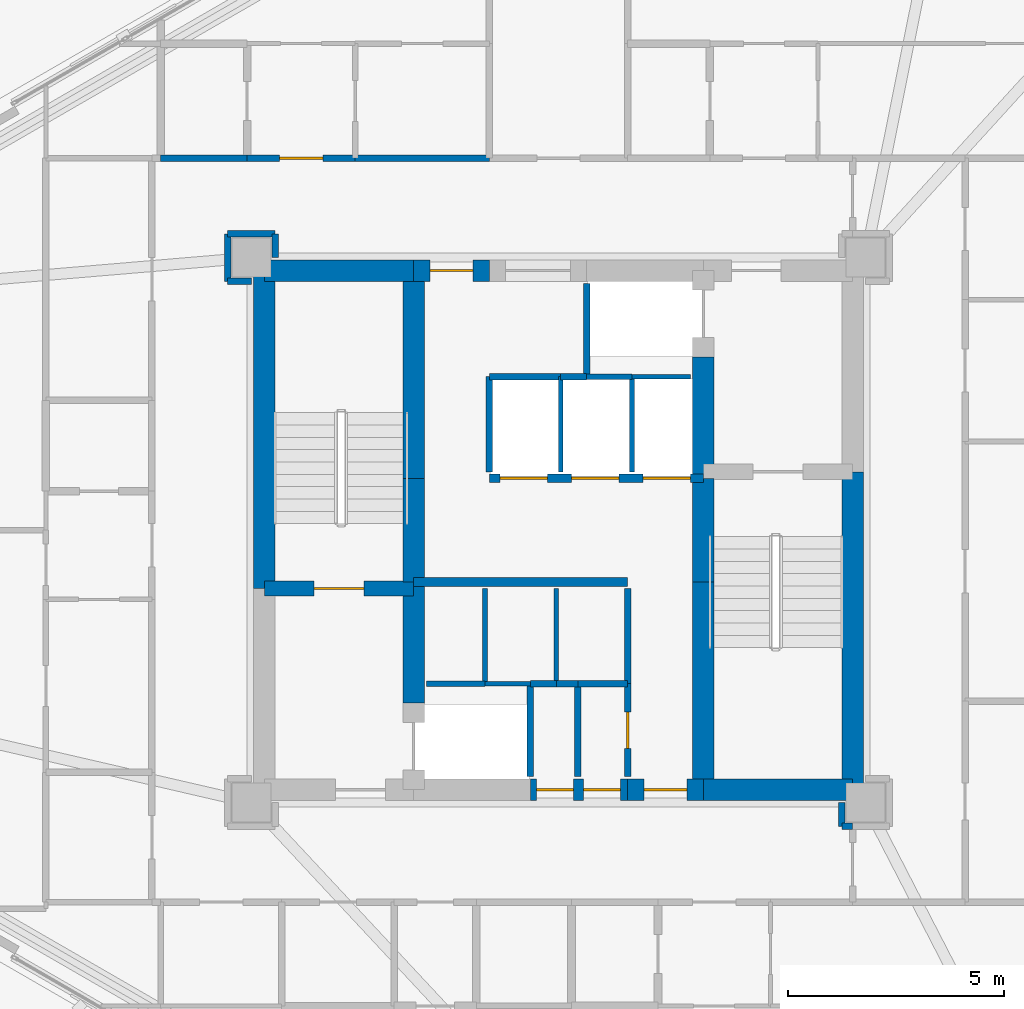
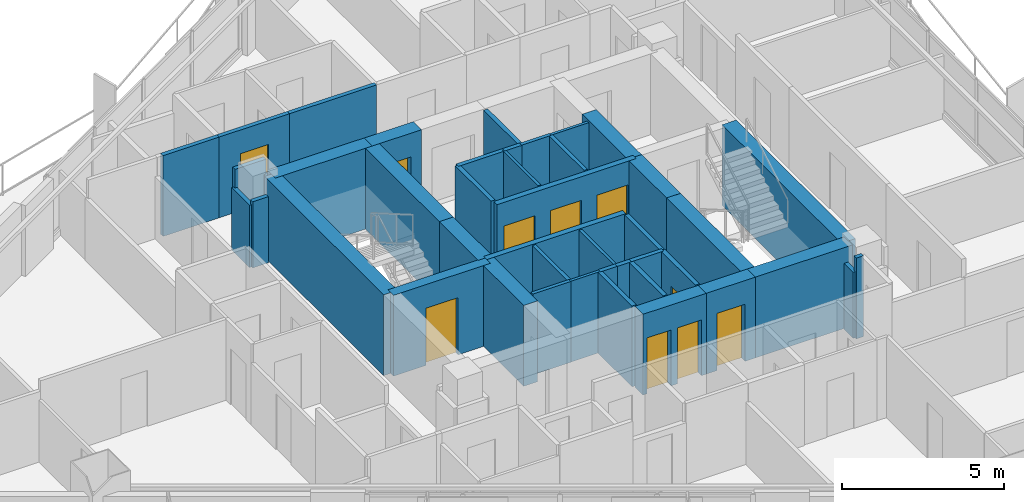
# One storey, part 14 of 19: 44 walls, 10 doors, 10 openings.
"""IFC4 building model written with IfcOpenShell, lengths in metres."""

from ifc_helpers import new_model, si_unit, direction, frame, frame_2d, origin, place, context, subcontext, project, spatial, rectangle, extrude, material, layer, layer_set, type_object, element, fill, save


model = new_model("IFC4")

# Units and contexts
model_context = context("Model", 3, precision=1e-05, world=origin(), true_north=direction((0.0, 1.0)))
body_context = subcontext(model_context, "Body", "Model", "MODEL_VIEW")
ifc_project = project(units=[si_unit("LENGTHUNIT", "METRE"), si_unit("AREAUNIT", "SQUARE_METRE"), si_unit("VOLUMEUNIT", "CUBIC_METRE"), si_unit("PLANEANGLEUNIT", "RADIAN"), si_unit("MASSUNIT", "GRAM", prefix="KILO")], contexts=[model_context])

# Site, building, storey
site_placement = place(None, origin())
site = spatial("IfcSite", under=ifc_project, at=site_placement, CompositionType="ELEMENT")
building_placement = place(site_placement, origin())
building = spatial("IfcBuilding", under=site, at=building_placement, Name="Mersakhor Tower and Convention Hall", CompositionType="ELEMENT")
storey_placement = place(building_placement, frame((0.0, 0.0, 42.300048828125)))
storey = spatial("IfcBuildingStorey", under=building, at=storey_placement, Name="L11", CompositionType="ELEMENT", Elevation=42.300048828125)

# Walls
ifc_material_1 = material(Name="Lightweight gypsum partition", Category="other")
ifc_layer_1 = layer(ifc_material_1, 0.10009765625)
ifc_layer_set_1 = layer_set([ifc_layer_1], Name="Lightweight gypsum partition")
wall_type_1 = type_object("IfcWallType", Name="WL-PRT-100", PredefinedType="PARTITIONING", material=ifc_layer_set_1)
wall_1_placement = place(storey_placement, frame((27.300048828125, 23.199951171875, 0.0), z_axis=(0.0, 0.0, 1.0), x_axis=(1.0, 0.0, 0.0)))
element("IfcWall", 1, at=wall_1_placement, inside=storey, type_object=wall_type_1, Name="L11 Interior Partition Wall P-002", PredefinedType="PARTITIONING", context=body_context, shape_type="SweptSolid", body=[
    extrude(rectangle(XDim=1.050048828125, YDim=0.10009765625, at=frame_2d((0.52490234375, 0.0))), origin(), (0.0, 0.0, 1.0), 3.0400390625),
])
wall_2_placement = place(storey_placement, frame((32.050048828125, 30.300048828125, 0.0), z_axis=(0.0, 0.0, 1.0), x_axis=(-1.0, 0.0, 0.0)))
element("IfcWall", 2, at=wall_2_placement, inside=storey, type_object=wall_type_1, Name="L11 Interior Partition Wall P-004", PredefinedType="PARTITIONING", context=body_context, shape_type="SweptSolid", body=[
    extrude(rectangle(XDim=1.35009765625, YDim=0.10009765625, at=frame_2d((0.675048828125, 0.0))), origin(), (0.0, 0.0, 1.0), 3.0400390625),
])
for number, where, z_axis, x_axis, name in (
    (3, (28.949951171875, 25.39990234375, 0.0), (0.0, 0.0, 1.0), (0.0, -1.0, 0.0), "L11 Interior Partition Wall P-008"),
    (4, (29.050048828125, 30.300048828125, 0.0), (0.0, 0.0, 1.0), (0.0, -1.0, 0.0), "L11 Interior Partition Wall P-014"),
):
    element("IfcWall", number, at=place(storey_placement, frame(where, z_axis=z_axis, x_axis=x_axis)), inside=storey, type_object=wall_type_1, Name=name, PredefinedType="PARTITIONING", context=body_context, shape_type="SweptSolid", body=[
        extrude(rectangle(XDim=2.199951171875, YDim=0.10009765625, at=frame_2d((1.10009765625, 0.0))), origin(), (0.0, 0.0, 1.0), 3.0400390625),
    ])
ifc_material_2 = material(Name="Gypsum board acoustic partition", Category="other")
ifc_layer_2 = layer(ifc_material_2, 0.125)
ifc_layer_set_2 = layer_set([ifc_layer_2], Name="Gypsum board acoustic partition")
wall_type_2 = type_object("IfcWallType", Name="WL-PRT-125", PredefinedType="PARTITIONING", material=ifc_layer_set_2)
wall_3_placement = place(storey_placement, frame((25.949951171875, 23.199951171875, 0.0), z_axis=(0.0, 0.0, 1.0), x_axis=(1.0, 0.0, 0.0)))
element("IfcWall", 5, at=wall_3_placement, inside=storey, type_object=wall_type_2, Name="L11 Interior Partition Wall P-001", PredefinedType="PARTITIONING", context=body_context, shape_type="SweptSolid", body=[
    extrude(rectangle(XDim=1.35009765625, YDim=0.125, at=frame_2d((0.675048828125, 0.0))), origin(), (0.0, 0.0, 1.0), 3.0400390625),
])
wall_4_placement = place(storey_placement, frame((30.699951171875, 30.300048828125, 0.0), z_axis=(0.0, 0.0, 1.0), x_axis=(-1.0, 0.0, 0.0)))
element("IfcWall", 6, at=wall_4_placement, inside=storey, type_object=wall_type_2, Name="L11 Interior Partition Wall P-005", PredefinedType="PARTITIONING", context=body_context, shape_type="SweptSolid", body=[
    extrude(rectangle(XDim=1.050048828125, YDim=0.125, at=frame_2d((0.52490234375, 0.0))), origin(), (0.0, 0.0, 1.0), 3.0400390625),
])
for number, where, z_axis, x_axis, name in (
    (7, (27.300048828125, 25.39990234375, 0.0), (0.0, 0.0, 1.0), (0.0, -1.0, 0.0), "L11 Interior Partition Wall P-007"),
    (8, (30.699951171875, 30.300048828125, 0.0), (0.0, 0.0, 1.0), (0.0, -1.0, 0.0), "L11 Interior Partition Wall P-017"),
):
    element("IfcWall", number, at=place(storey_placement, frame(where, z_axis=z_axis, x_axis=x_axis)), inside=storey, type_object=wall_type_2, Name=name, PredefinedType="PARTITIONING", context=body_context, shape_type="SweptSolid", body=[
        extrude(rectangle(XDim=2.199951171875, YDim=0.125, at=frame_2d((1.10009765625, 0.0))), origin(), (0.0, 0.0, 1.0), 3.0400390625),
    ])
ifc_material_3 = material(Name="Fire-rated gypsum board stud partition", Category="other")
ifc_layer_3 = layer(ifc_material_3, 0.14990234375)
ifc_layer_set_3 = layer_set([ifc_layer_3], Name="Fire-rated gypsum board stud partition")
wall_type_3 = type_object("IfcWallType", Name="WL-PRT-150", PredefinedType="PARTITIONING", material=ifc_layer_set_3)
for number, where, z_axis, x_axis, name in (
    (9, (28.35009765625, 23.199951171875, 0.0), (0.0, 0.0, 1.0), (0.0, -1.0, 0.0), "L11 Interior Partition Wall P-003"),
    (10, (29.64990234375, 30.300048828125, 0.0), (0.0, 0.0, 1.0), (0.0, 1.0, 0.0), "L11 Interior Partition Wall P-006"),
):
    element("IfcWall", number, at=place(storey_placement, frame(where, z_axis=z_axis, x_axis=x_axis)), inside=storey, type_object=wall_type_3, Name=name, PredefinedType="PARTITIONING", context=body_context, shape_type="SweptSolid", body=[
        extrude(rectangle(XDim=2.14990234375, YDim=0.14990234375, at=frame_2d((1.074951171875, 0.0))), origin(), (0.0, 0.0, 1.0), 3.0400390625),
    ])
wall_5_placement = place(storey_placement, frame((28.949951171875, 23.199951171875, 0.0), z_axis=(0.0, 0.0, 1.0), x_axis=(-1.0, 0.0, 0.0)))
element("IfcWall", 11, at=wall_5_placement, inside=storey, type_object=wall_type_3, Name="L11 Interior Partition Wall P-009", PredefinedType="PARTITIONING", context=body_context, shape_type="SweptSolid", body=[
    extrude(rectangle(XDim=0.599853515625, YDim=0.14990234375, at=frame_2d((0.2998046875, 0.0))), origin(), (0.0, 0.0, 1.0), 3.0400390625),
])
wall_6_placement = place(storey_placement, frame((30.60009765625, 25.39990234375, 0.0), z_axis=(0.0, 0.0, 1.0), x_axis=(0.0, -1.0, 0.0)))
element("IfcWall", 12, at=wall_6_placement, inside=storey, type_object=wall_type_3, Name="L11 Interior Partition Wall P-010", PredefinedType="PARTITIONING", context=body_context, shape_type="SweptSolid", body=[
    extrude(rectangle(XDim=2.199951171875, YDim=0.14990234375, at=frame_2d((1.10009765625, 0.0))), origin(), (0.0, 0.0, 1.0), 3.0400390625),
])
wall_7_placement = place(storey_placement, frame((30.60009765625, 23.199951171875, 0.0), z_axis=(0.0, 0.0, 1.0), x_axis=(-1.0, 0.0, 0.0)))
element("IfcWall", 13, at=wall_7_placement, inside=storey, type_object=wall_type_3, Name="L11 Interior Partition Wall P-011", PredefinedType="PARTITIONING", context=body_context, shape_type="SweptSolid", body=[
    extrude(rectangle(XDim=1.150146484375, YDim=0.14990234375, at=frame_2d((0.5751953125, 0.0))), origin(), (0.0, 0.0, 1.0), 3.0400390625),
])
wall_8_placement = place(storey_placement, frame((29.449951171875, 23.199951171875, 0.0), z_axis=(0.0, 0.0, 1.0), x_axis=(-1.0, 0.0, 0.0)))
element("IfcWall", 14, at=wall_8_placement, inside=storey, type_object=wall_type_3, Name="L11 Interior Partition Wall P-012", PredefinedType="PARTITIONING", context=body_context, shape_type="SweptSolid", body=[
    extrude(rectangle(XDim=0.5, YDim=0.14990234375, at=frame_2d((0.25, 0.0))), origin(), (0.0, 0.0, 1.0), 3.0400390625),
])
wall_9_placement = place(storey_placement, frame((27.39990234375, 30.300048828125, 0.0), z_axis=(0.0, 0.0, 1.0), x_axis=(1.0, 0.0, 0.0)))
element("IfcWall", 15, at=wall_9_placement, inside=storey, type_object=wall_type_3, Name="L11 Interior Partition Wall P-013", PredefinedType="PARTITIONING", context=body_context, shape_type="SweptSolid", body=[
    extrude(rectangle(XDim=1.650146484375, YDim=0.14990234375, at=frame_2d((0.8251953125, 0.0))), origin(), (0.0, 0.0, 1.0), 3.0400390625),
])
wall_10_placement = place(storey_placement, frame((27.39990234375, 28.10009765625, 0.0), z_axis=(0.0, 0.0, 1.0), x_axis=(0.0, 1.0, 0.0)))
element("IfcWall", 16, at=wall_10_placement, inside=storey, type_object=wall_type_3, Name="L11 Interior Partition Wall P-015", PredefinedType="PARTITIONING", context=body_context, shape_type="SweptSolid", body=[
    extrude(rectangle(XDim=2.199951171875, YDim=0.14990234375, at=frame_2d((1.10009765625, 0.0))), origin(), (0.0, 0.0, 1.0), 3.0400390625),
])
wall_11_placement = place(storey_placement, frame((29.050048828125, 30.300048828125, 0.0), z_axis=(0.0, 0.0, 1.0), x_axis=(1.0, 0.0, 0.0)))
element("IfcWall", 17, at=wall_11_placement, inside=storey, type_object=wall_type_3, Name="L11 Interior Partition Wall P-016", PredefinedType="PARTITIONING", context=body_context, shape_type="SweptSolid", body=[
    extrude(rectangle(XDim=0.599853515625, YDim=0.14990234375, at=frame_2d((0.2998046875, 0.0))), origin(), (0.0, 0.0, 1.0), 3.0400390625),
])

# Wall, opening, door
wall_12_placement = place(storey_placement, frame((30.60009765625, 21.050048828125, 0.0), z_axis=(0.0, 0.0, 1.0), x_axis=(0.0, 1.0, 0.0)))
wall_12 = element("IfcWall", 18, at=wall_12_placement, inside=storey, type_object=wall_type_3, Name="L11 Interior Partition Wall P-018", PredefinedType="PARTITIONING", context=body_context, shape_type="SweptSolid", body=[
    extrude(rectangle(XDim=2.14990234375, YDim=0.14990234375, at=frame_2d((1.074951171875, 0.0))), origin(), (0.0, 0.0, 1.0), 3.0400390625),
])
opening_1_placement = place(wall_12_placement, frame((0.64990234375, 0.0, 0.0)))
opening_1 = element("IfcOpeningElement", 19, at=opening_1_placement, cuts=wall_12, Name="Opening SVD-01", PredefinedType="OPENING", context=body_context, shape_type="SweptSolid", body=[
    extrude(rectangle(XDim=0.85009765625, YDim=2.10009765625, at=frame_2d((0.425048828125, 1.050048828125))), frame((0.0, 0.0849609375, 0.0), z_axis=(0.0, -1.0, 0.0), x_axis=(1.0, 0.0, 0.0)), (0.0, 0.0, 1.0), 0.169921875),
])
ifc_material_4 = material(Name="Fire-rated hardwood leaf and painted steel frame", Category="steel")
door_type_1 = type_object("IfcDoorType", Name="DR-INT-SVC-085x210", OperationType="NOTDEFINED", PredefinedType="DOOR", material=ifc_material_4)
door_1_placement = place(opening_1_placement, origin())
door_1 = element("IfcDoor", 20, at=door_1_placement, inside=storey, type_object=door_type_1, Name="L11 Central Passenger Lift Lobby to Core Maintenance Store Room Door", OperationType="SINGLE_SWING_LEFT", OverallHeight=2.10009765625, OverallWidth=0.85009765625, PredefinedType="DOOR", context=body_context, shape_type="SweptSolid", body=[
    extrude(rectangle(XDim=0.85009765625, YDim=2.10009765625, at=frame_2d((0.425048828125, 1.050048828125))), frame((0.0, 0.02490234375, 0.0), z_axis=(0.0, -1.0, 0.0), x_axis=(1.0, 0.0, 0.0)), (0.0, 0.0, 1.0), 0.050048828125),
])
fill(opening_1, door_1)

# Walls
wall_13_placement = place(storey_placement, frame((35.550048828125, 20.449951171875, 0.0), z_axis=(0.0, 0.0, 1.0), x_axis=(0.0, -1.0, 0.0)))
element("IfcWall", 21, at=wall_13_placement, inside=storey, type_object=wall_type_3, Name="L11 Interior Partition Wall P-021", PredefinedType="PARTITIONING", context=body_context, shape_type="SweptSolid", body=[
    extrude(rectangle(XDim=0.550048828125, YDim=0.14990234375, at=frame_2d((0.27490234375, 0.0))), origin(), (0.0, 0.0, 1.0), 2.48828125),
])
wall_14_placement = place(storey_placement, frame((35.550048828125, 19.89990234375, 0.0), z_axis=(0.0, 0.0, 1.0), x_axis=(1.0, 0.0, 0.0)))
element("IfcWall", 22, at=wall_14_placement, inside=storey, type_object=wall_type_3, Name="L11 Interior Partition Wall P-022", PredefinedType="PARTITIONING", context=body_context, shape_type="SweptSolid", body=[
    extrude(rectangle(XDim=0.25, YDim=0.14990234375, at=frame_2d((0.125, 0.0))), origin(), (0.0, 0.0, 1.0), 3.0400390625),
])
wall_15_placement = place(storey_placement, frame((19.800048828125, 35.35009765625, 0.0), z_axis=(0.0, 0.0, 1.0), x_axis=(1.0, 0.0, 0.0)))
element("IfcWall", 23, at=wall_15_placement, inside=storey, type_object=wall_type_3, Name="L11 Interior Partition Wall P-038", PredefinedType="PARTITIONING", context=body_context, shape_type="SweptSolid", body=[
    extrude(rectangle(XDim=2.0, YDim=0.14990234375, at=frame_2d((1.0, 0.0))), origin(), (0.0, 0.0, 1.0), 3.0400390625),
])

# Wall, opening, door
wall_16_placement = place(storey_placement, frame((21.800048828125, 35.35009765625, 0.0), z_axis=(0.0, 0.0, 1.0), x_axis=(1.0, 0.0, 0.0)))
wall_16 = element("IfcWall", 24, at=wall_16_placement, inside=storey, type_object=wall_type_3, Name="L11 Interior Partition Wall P-039", PredefinedType="PARTITIONING", context=body_context, shape_type="SweptSolid", body=[
    extrude(rectangle(XDim=2.5, YDim=0.14990234375, at=frame_2d((1.25, 0.0))), origin(), (0.0, 0.0, 1.0), 3.0400390625),
])
opening_2_placement = place(wall_16_placement, frame((0.75, 0.0, 0.0)))
opening_2 = element("IfcOpeningElement", 25, at=opening_2_placement, cuts=wall_16, Name="Opening FD-01", PredefinedType="OPENING", context=body_context, shape_type="SweptSolid", body=[
    extrude(rectangle(XDim=1.0, YDim=2.14990234375, at=frame_2d((0.5, 1.074951171875))), frame((0.0, 0.0849609375, 0.0), z_axis=(0.0, -1.0, 0.0), x_axis=(1.0, 0.0, 0.0)), (0.0, 0.0, 1.0), 0.169921875),
])
ifc_material_5 = material(Name="Fire-rated hardwood leaf and painted steel frame", Category="steel")
door_type_2 = type_object("IfcDoorType", Name="DR-INT-FLT-100x215", OperationType="NOTDEFINED", PredefinedType="DOOR", material=ifc_material_5)
door_2_placement = place(opening_2_placement, origin())
door_2 = element("IfcDoor", 26, at=door_2_placement, inside=storey, type_object=door_type_2, Name="L11 Apartment Entrance Door (Residential Ring Corridor to L11 Flat N1 Apartment Hall)", OperationType="SINGLE_SWING_RIGHT", OverallHeight=2.14990234375, OverallWidth=1.0, PredefinedType="DOOR", context=body_context, shape_type="SweptSolid", body=[
    extrude(rectangle(XDim=1.0, YDim=2.14990234375, at=frame_2d((0.5, 1.074951171875))), frame((0.0, 0.02490234375, 0.0), z_axis=(0.0, -1.0, 0.0), x_axis=(1.0, 0.0, 0.0)), (0.0, 0.0, 1.0), 0.050048828125),
])
fill(opening_2, door_2)

# Walls
wall_17_placement = place(storey_placement, frame((24.300048828125, 35.35009765625, 0.0), z_axis=(0.0, 0.0, 1.0), x_axis=(1.0, 0.0, 0.0)))
element("IfcWall", 27, at=wall_17_placement, inside=storey, type_object=wall_type_3, Name="L11 Interior Partition Wall P-040", PredefinedType="PARTITIONING", context=body_context, shape_type="SweptSolid", body=[
    extrude(rectangle(XDim=3.099853515625, YDim=0.14990234375, at=frame_2d((1.5498046875, 0.0))), origin(), (0.0, 0.0, 1.0), 3.0400390625),
])
wall_18_placement = place(storey_placement, frame((22.449951171875, 33.050048828125, 0.0), z_axis=(0.0, 0.0, 1.0), x_axis=(0.0, 1.0, 0.0)))
element("IfcWall", 28, at=wall_18_placement, inside=storey, type_object=wall_type_3, Name="L11 Interior Partition Wall P-048", PredefinedType="PARTITIONING", context=body_context, shape_type="SweptSolid", body=[
    extrude(rectangle(XDim=0.550048828125, YDim=0.14990234375, at=frame_2d((0.27490234375, 0.0))), origin(), (0.0, 0.0, 1.0), 2.48828125),
])
wall_19_placement = place(storey_placement, frame((22.449951171875, 33.60009765625, 0.0), z_axis=(0.0, 0.0, 1.0), x_axis=(-1.0, 0.0, 0.0)))
element("IfcWall", 29, at=wall_19_placement, inside=storey, type_object=wall_type_3, Name="L11 Interior Partition Wall P-049", PredefinedType="PARTITIONING", context=body_context, shape_type="SweptSolid", body=[
    extrude(rectangle(XDim=1.099853515625, YDim=0.14990234375, at=frame_2d((0.5498046875, 0.0))), origin(), (0.0, 0.0, 1.0), 3.0400390625),
])
wall_20_placement = place(storey_placement, frame((21.35009765625, 33.60009765625, 0.0), z_axis=(0.0, 0.0, 1.0), x_axis=(0.0, -1.0, 0.0)))
element("IfcWall", 30, at=wall_20_placement, inside=storey, type_object=wall_type_3, Name="L11 Interior Partition Wall P-050", PredefinedType="PARTITIONING", context=body_context, shape_type="SweptSolid", body=[
    extrude(rectangle(XDim=1.10009765625, YDim=0.14990234375, at=frame_2d((0.550048828125, 0.0))), origin(), (0.0, 0.0, 1.0), 2.33740234375),
])
wall_21_placement = place(storey_placement, frame((21.35009765625, 32.5, 0.0), z_axis=(0.0, 0.0, 1.0), x_axis=(1.0, 0.0, 0.0)))
element("IfcWall", 31, at=wall_21_placement, inside=storey, type_object=wall_type_3, Name="L11 Interior Partition Wall P-051", PredefinedType="PARTITIONING", context=body_context, shape_type="SweptSolid", body=[
    extrude(rectangle(XDim=0.5498046875, YDim=0.14990234375, at=frame_2d((0.27490234375, 0.0))), origin(), (0.0, 0.0, 1.0), 2.48828125),
])
wall_22_placement = place(storey_placement, frame((29.449951171875, 23.199951171875, 0.0), z_axis=(0.0, 0.0, 1.0), x_axis=(0.0, -1.0, 0.0)))
element("IfcWall", 32, at=wall_22_placement, inside=storey, type_object=wall_type_3, Name="L11 Interior Partition Wall P-099", PredefinedType="PARTITIONING", context=body_context, shape_type="SweptSolid", body=[
    extrude(rectangle(XDim=2.14990234375, YDim=0.14990234375, at=frame_2d((1.074951171875, 0.0))), origin(), (0.0, 0.0, 1.0), 3.0400390625),
])
ifc_material_6 = material(Name="Acoustic concrete blockwork and gypsum board", Category="masonry")
ifc_layer_4 = layer(ifc_material_6, 0.199951171875)
ifc_layer_set_4 = layer_set([ifc_layer_4], Name="Acoustic concrete blockwork and gypsum board")
wall_type_4 = type_object("IfcWallType", Name="WL-PRT-200", PredefinedType="PARTITIONING", material=ifc_layer_set_4)
wall_23_placement = place(storey_placement, frame((25.64990234375, 25.550048828125, 0.0), z_axis=(0.0, 0.0, 1.0), x_axis=(1.0, 0.0, 0.0)))
element("IfcWall", 33, at=wall_23_placement, inside=storey, type_object=wall_type_4, Name="L11 High-Rise Lift Bank Front Wall", PredefinedType="PARTITIONING", context=body_context, shape_type="SweptSolid", body=[
    extrude(rectangle(XDim=4.9501953125, YDim=0.199951171875, at=frame_2d((2.47509765625, 0.0))), origin(), (0.0, 0.0, 1.0), 3.0400390625),
])

# Wall, openings, doors
wall_24_placement = place(storey_placement, frame((27.39990234375, 27.949951171875, 0.0), z_axis=(0.0, 0.0, 1.0), x_axis=(1.0, 0.0, 0.0)))
wall_24 = element("IfcWall", 34, at=wall_24_placement, inside=storey, type_object=wall_type_4, Name="L11 Low-Rise Lift Bank Front Wall", PredefinedType="PARTITIONING", context=body_context, shape_type="SweptSolid", body=[
    extrude(rectangle(XDim=4.9501953125, YDim=0.199951171875, at=frame_2d((2.47509765625, 0.0))), origin(), (0.0, 0.0, 1.0), 3.0400390625),
])
opening_3_placement = place(wall_24_placement, frame((0.25, 0.0, 0.0)))
opening_3 = element("IfcOpeningElement", 35, at=opening_3_placement, cuts=wall_24, Name="Opening LD-P1", PredefinedType="OPENING", context=body_context, shape_type="SweptSolid", body=[
    extrude(rectangle(XDim=1.10009765625, YDim=2.14990234375, at=frame_2d((0.550048828125, 1.074951171875))), frame((0.0, 0.10986328125, 0.0), z_axis=(0.0, -1.0, 0.0), x_axis=(1.0, 0.0, 0.0)), (0.0, 0.0, 1.0), 0.219970703125),
])
opening_4_placement = place(wall_24_placement, frame((1.89990234375, 0.0, 0.0)))
opening_4 = element("IfcOpeningElement", 36, at=opening_4_placement, cuts=wall_24, Name="Opening LD-P2", PredefinedType="OPENING", context=body_context, shape_type="SweptSolid", body=[
    extrude(rectangle(XDim=1.10009765625, YDim=2.14990234375, at=frame_2d((0.550048828125, 1.074951171875))), frame((0.0, 0.10986328125, 0.0), z_axis=(0.0, -1.0, 0.0), x_axis=(1.0, 0.0, 0.0)), (0.0, 0.0, 1.0), 0.219970703125),
])
opening_5_placement = place(wall_24_placement, frame((3.550048828125, 0.0, 0.0)))
opening_5 = element("IfcOpeningElement", 37, at=opening_5_placement, cuts=wall_24, Name="Opening LD-P3", PredefinedType="OPENING", context=body_context, shape_type="SweptSolid", body=[
    extrude(rectangle(XDim=1.10009765625, YDim=2.14990234375, at=frame_2d((0.550048828125, 1.074951171875))), frame((0.0, 0.10986328125, 0.0), z_axis=(0.0, -1.0, 0.0), x_axis=(1.0, 0.0, 0.0)), (0.0, 0.0, 1.0), 0.219970703125),
])
ifc_material_7 = material(Name="Fire-rated brushed stainless steel sliding landing door", Category="steel")
door_type_3 = type_object("IfcDoorType", Name="DR-LIFT-SLD-110x215", OperationType="NOTDEFINED", PredefinedType="DOOR", material=ifc_material_7)
door_3_placement = place(opening_3_placement, origin())
door_3 = element("IfcDoor", 38, at=door_3_placement, inside=storey, type_object=door_type_3, Name="L11 Lift Landing Door LD-P1", OperationType="SLIDING_TO_LEFT", OverallHeight=2.14990234375, OverallWidth=1.10009765625, PredefinedType="DOOR", context=body_context, shape_type="SweptSolid", body=[
    extrude(rectangle(XDim=1.10009765625, YDim=2.14990234375, at=frame_2d((0.550048828125, 1.074951171875))), frame((0.0, 0.02490234375, 0.0), z_axis=(0.0, -1.0, 0.0), x_axis=(1.0, 0.0, 0.0)), (0.0, 0.0, 1.0), 0.050048828125),
])
fill(opening_3, door_3)
door_4_placement = place(opening_4_placement, origin())
door_4 = element("IfcDoor", 39, at=door_4_placement, inside=storey, type_object=door_type_3, Name="L11 Lift Landing Door LD-P2", OperationType="SLIDING_TO_LEFT", OverallHeight=2.14990234375, OverallWidth=1.10009765625, PredefinedType="DOOR", context=body_context, shape_type="SweptSolid", body=[
    extrude(rectangle(XDim=1.10009765625, YDim=2.14990234375, at=frame_2d((0.550048828125, 1.074951171875))), frame((0.0, 0.02490234375, 0.0), z_axis=(0.0, -1.0, 0.0), x_axis=(1.0, 0.0, 0.0)), (0.0, 0.0, 1.0), 0.050048828125),
])
fill(opening_4, door_4)
door_5_placement = place(opening_5_placement, origin())
door_5 = element("IfcDoor", 40, at=door_5_placement, inside=storey, type_object=door_type_3, Name="L11 Lift Landing Door LD-P3", OperationType="SLIDING_TO_LEFT", OverallHeight=2.14990234375, OverallWidth=1.10009765625, PredefinedType="DOOR", context=body_context, shape_type="SweptSolid", body=[
    extrude(rectangle(XDim=1.10009765625, YDim=2.14990234375, at=frame_2d((0.550048828125, 1.074951171875))), frame((0.0, 0.02490234375, 0.0), z_axis=(0.0, -1.0, 0.0), x_axis=(1.0, 0.0, 0.0)), (0.0, 0.0, 1.0), 0.050048828125),
])
fill(opening_5, door_5)

# Wall, opening, door
ifc_material_8 = material(Name="Concrete C50/60", Category="concrete")
ifc_layer_5 = layer(ifc_material_8, 0.35009765625)
ifc_layer_set_5 = layer_set([ifc_layer_5], Name="Concrete C50/60")
wall_type_5 = type_object("IfcWallType", Name="WL-SHR-350", PredefinedType="SHEAR", material=ifc_layer_set_5)
wall_25_placement = place(storey_placement, frame((22.199951171875, 25.39990234375, 0.0), z_axis=(0.0, 0.0, 1.0), x_axis=(1.0, 0.0, 0.0)))
wall_25 = element("IfcWall", 41, at=wall_25_placement, inside=storey, type_object=wall_type_5, Name="L11 Core Wall CS-ST1-S", PredefinedType="SHEAR", context=body_context, shape_type="SweptSolid", body=[
    extrude(rectangle(XDim=3.449951171875, YDim=0.35009765625, at=frame_2d((1.72509765625, 0.0))), origin(), (0.0, 0.0, 1.0), 3.0400390625),
])
opening_6_placement = place(wall_25_placement, frame((1.14990234375, 0.0, 0.0)))
opening_6 = element("IfcOpeningElement", 42, at=opening_6_placement, cuts=wall_25, Name="Opening SD-01", PredefinedType="OPENING", context=body_context, shape_type="SweptSolid", body=[
    extrude(rectangle(XDim=1.14990234375, YDim=2.14990234375, at=frame_2d((0.574951171875, 1.074951171875))), frame((0.0, 0.18505859375, 0.0), z_axis=(0.0, -1.0, 0.0), x_axis=(1.0, 0.0, 0.0)), (0.0, 0.0, 1.0), 0.3701171875),
])
ifc_material_9 = material(Name="Fire-rated hardwood leaf and painted steel frame", Category="steel")
door_type_4 = type_object("IfcDoorType", Name="DR-INT-STAIR-115x215", OperationType="NOTDEFINED", PredefinedType="DOOR", material=ifc_material_9)
door_6_placement = place(opening_6_placement, origin())
door_6 = element("IfcDoor", 43, at=door_6_placement, inside=storey, type_object=door_type_4, Name="L11 Exit Stair ST-1 Enclosure Door", OperationType="SINGLE_SWING_LEFT", OverallHeight=2.14990234375, OverallWidth=1.14990234375, PredefinedType="DOOR", context=body_context, shape_type="SweptSolid", body=[
    extrude(rectangle(XDim=1.14990234375, YDim=2.14990234375, at=frame_2d((0.574951171875, 1.074951171875))), frame((0.0, 0.02490234375, 0.0), z_axis=(0.0, -1.0, 0.0), x_axis=(1.0, 0.0, 0.0)), (0.0, 0.0, 1.0), 0.050048828125),
])
fill(opening_6, door_6)

# Walls
ifc_material_10 = material(Name="Concrete C70/85", Category="concrete")
ifc_layer_6 = layer(ifc_material_10, 0.5)
ifc_layer_set_6 = layer_set([ifc_layer_6], Name="Concrete C70/85")
wall_type_6 = type_object("IfcWallType", Name="WL-SHR-500", PredefinedType="SHEAR", material=ifc_layer_set_6)
wall_26_placement = place(storey_placement, frame((22.199951171875, 25.39990234375, 0.0), z_axis=(0.0, 0.0, 1.0), x_axis=(0.0, 1.0, 0.0)))
element("IfcWall", 44, at=wall_26_placement, inside=storey, type_object=wall_type_6, Name="L11 Core Wall CW-W2", PredefinedType="SHEAR", context=body_context, shape_type="SweptSolid", body=[
    extrude(rectangle(XDim=7.35009765625, YDim=0.5, at=frame_2d((3.675048828125, 0.0))), origin(), (0.0, 0.0, 1.0), 3.0400390625),
])
wall_27_placement = place(storey_placement, frame((22.199951171875, 32.75, 0.0), z_axis=(0.0, 0.0, 1.0), x_axis=(1.0, 0.0, 0.0)))
element("IfcWall", 45, at=wall_27_placement, inside=storey, type_object=wall_type_6, Name="L11 Core Wall CW-N1", PredefinedType="SHEAR", context=body_context, shape_type="SweptSolid", body=[
    extrude(rectangle(XDim=3.449951171875, YDim=0.5, at=frame_2d((1.72509765625, 0.0))), origin(), (0.0, 0.0, 1.0), 3.0400390625),
])

# Wall, opening, door
wall_28_placement = place(storey_placement, frame((25.64990234375, 32.75, 0.0), z_axis=(0.0, 0.0, 1.0), x_axis=(1.0, 0.0, 0.0)))
wall_28 = element("IfcWall", 46, at=wall_28_placement, inside=storey, type_object=wall_type_6, Name="L11 Core Wall CW-N2A", PredefinedType="SHEAR", context=body_context, shape_type="SweptSolid", body=[
    extrude(rectangle(XDim=1.75, YDim=0.5, at=frame_2d((0.875, 0.0))), origin(), (0.0, 0.0, 1.0), 3.0400390625),
])
opening_7_placement = place(wall_28_placement, frame((0.375, 0.0, 0.0)))
opening_7 = element("IfcOpeningElement", 47, at=opening_7_placement, cuts=wall_28, Name="Opening CFD-01", PredefinedType="OPENING", context=body_context, shape_type="SweptSolid", body=[
    extrude(rectangle(XDim=1.0, YDim=2.14990234375, at=frame_2d((0.5, 1.074951171875))), frame((0.0, 0.260009765625, 0.0), z_axis=(0.0, -1.0, 0.0), x_axis=(1.0, 0.0, 0.0)), (0.0, 0.0, 1.0), 0.52001953125),
])
ifc_material_11 = material(Name="Fire-rated hardwood leaf and painted steel frame", Category="steel")
door_type_5 = type_object("IfcDoorType", Name="DR-CORE-FD-100x215", OperationType="NOTDEFINED", PredefinedType="DOOR", material=ifc_material_11)
door_7_placement = place(opening_7_placement, origin())
door_7 = element("IfcDoor", 48, at=door_7_placement, inside=storey, type_object=door_type_5, Name="L11 Lift Lobby North Corridor Door", OperationType="SINGLE_SWING_LEFT", OverallHeight=2.14990234375, OverallWidth=1.0, PredefinedType="DOOR", context=body_context, shape_type="SweptSolid", body=[
    extrude(rectangle(XDim=1.0, YDim=2.14990234375, at=frame_2d((0.5, 1.074951171875))), frame((0.0, 0.02490234375, 0.0), z_axis=(0.0, -1.0, 0.0), x_axis=(1.0, 0.0, 0.0)), (0.0, 0.0, 1.0), 0.050048828125),
])
fill(opening_7, door_7)

# Walls
wall_29_placement = place(storey_placement, frame((35.800048828125, 28.10009765625, 0.0), z_axis=(0.0, 0.0, 1.0), x_axis=(0.0, -1.0, 0.0)))
element("IfcWall", 49, at=wall_29_placement, inside=storey, type_object=wall_type_6, Name="L11 Core Wall CW-E2", PredefinedType="SHEAR", context=body_context, shape_type="SweptSolid", body=[
    extrude(rectangle(XDim=7.35009765625, YDim=0.5, at=frame_2d((3.675048828125, 0.0))), origin(), (0.0, 0.0, 1.0), 3.0400390625),
])
wall_30_placement = place(storey_placement, frame((35.800048828125, 20.75, 0.0), z_axis=(0.0, 0.0, 1.0), x_axis=(-1.0, 0.0, 0.0)))
element("IfcWall", 50, at=wall_30_placement, inside=storey, type_object=wall_type_6, Name="L11 Core Wall CW-S1", PredefinedType="SHEAR", context=body_context, shape_type="SweptSolid", body=[
    extrude(rectangle(XDim=3.449951171875, YDim=0.5, at=frame_2d((1.72509765625, 0.0))), origin(), (0.0, 0.0, 1.0), 3.0400390625),
])

# Wall, opening, door
wall_31_placement = place(storey_placement, frame((32.35009765625, 20.75, 0.0), z_axis=(0.0, 0.0, 1.0), x_axis=(-1.0, 0.0, 0.0)))
wall_31 = element("IfcWall", 51, at=wall_31_placement, inside=storey, type_object=wall_type_6, Name="L11 Core Wall CW-S2A", PredefinedType="SHEAR", context=body_context, shape_type="SweptSolid", body=[
    extrude(rectangle(XDim=1.75, YDim=0.5, at=frame_2d((0.875, 0.0))), origin(), (0.0, 0.0, 1.0), 3.0400390625),
])
opening_8_placement = place(wall_31_placement, frame((0.375, 0.0, 0.0)))
opening_8 = element("IfcOpeningElement", 52, at=opening_8_placement, cuts=wall_31, Name="Opening CFD-01", PredefinedType="OPENING", context=body_context, shape_type="SweptSolid", body=[
    extrude(rectangle(XDim=1.0, YDim=2.14990234375, at=frame_2d((0.5, 1.074951171875))), frame((0.0, 0.260009765625, 0.0), z_axis=(0.0, -1.0, 0.0), x_axis=(1.0, 0.0, 0.0)), (0.0, 0.0, 1.0), 0.52001953125),
])
door_8_placement = place(opening_8_placement, origin())
door_8 = element("IfcDoor", 53, at=door_8_placement, inside=storey, type_object=door_type_5, Name="L11 Lift Lobby South Corridor Door", OperationType="SINGLE_SWING_RIGHT", OverallHeight=2.14990234375, OverallWidth=1.0, PredefinedType="DOOR", context=body_context, shape_type="SweptSolid", body=[
    extrude(rectangle(XDim=1.0, YDim=2.14990234375, at=frame_2d((0.5, 1.074951171875))), frame((0.0, 0.02490234375, 0.0), z_axis=(0.0, -1.0, 0.0), x_axis=(1.0, 0.0, 0.0)), (0.0, 0.0, 1.0), 0.050048828125),
])
fill(opening_8, door_8)

# Wall, openings, doors
wall_32_placement = place(storey_placement, frame((30.60009765625, 20.75, 0.0), z_axis=(0.0, 0.0, 1.0), x_axis=(-1.0, 0.0, 0.0)))
wall_32 = element("IfcWall", 54, at=wall_32_placement, inside=storey, type_object=wall_type_6, Name="L11 Core Wall CW-S2B", PredefinedType="SHEAR", context=body_context, shape_type="SweptSolid", body=[
    extrude(rectangle(XDim=2.25, YDim=0.5, at=frame_2d((1.125, 0.0))), origin(), (0.0, 0.0, 1.0), 3.0400390625),
])
opening_9_placement = place(wall_32_placement, frame((1.2548828125, 0.0, 0.0)))
opening_9 = element("IfcOpeningElement", 55, at=opening_9_placement, cuts=wall_32, Name="Opening SVD-01", PredefinedType="OPENING", context=body_context, shape_type="SweptSolid", body=[
    extrude(rectangle(XDim=0.85009765625, YDim=2.10009765625, at=frame_2d((0.425048828125, 1.050048828125))), frame((0.0, 0.260009765625, 0.0), z_axis=(0.0, -1.0, 0.0), x_axis=(1.0, 0.0, 0.0)), (0.0, 0.0, 1.0), 0.52001953125),
])
opening_10_placement = place(wall_32_placement, frame((0.169921875, 0.0, 0.0)))
opening_10 = element("IfcOpeningElement", 56, at=opening_10_placement, cuts=wall_32, Name="Opening SVD-01", PredefinedType="OPENING", context=body_context, shape_type="SweptSolid", body=[
    extrude(rectangle(XDim=0.85009765625, YDim=2.10009765625, at=frame_2d((0.425048828125, 1.050048828125))), frame((0.0, 0.260009765625, 0.0), z_axis=(0.0, -1.0, 0.0), x_axis=(1.0, 0.0, 0.0)), (0.0, 0.0, 1.0), 0.52001953125),
])
door_9_placement = place(opening_9_placement, origin())
door_9 = element("IfcDoor", 57, at=door_9_placement, inside=storey, type_object=door_type_1, Name="L11 Residential Ring Corridor to Sub-Metering Switch Room Door", OperationType="SINGLE_SWING_LEFT", OverallHeight=2.10009765625, OverallWidth=0.85009765625, PredefinedType="DOOR", context=body_context, shape_type="SweptSolid", body=[
    extrude(rectangle(XDim=0.85009765625, YDim=2.10009765625, at=frame_2d((0.425048828125, 1.050048828125))), frame((0.0, 0.02490234375, 0.0), z_axis=(0.0, -1.0, 0.0), x_axis=(1.0, 0.0, 0.0)), (0.0, 0.0, 1.0), 0.050048828125),
])
fill(opening_9, door_9)
door_10_placement = place(opening_10_placement, origin())
door_10 = element("IfcDoor", 58, at=door_10_placement, inside=storey, type_object=door_type_1, Name="L11 Residential Ring Corridor to Core Maintenance Store Room Door", OperationType="SINGLE_SWING_RIGHT", OverallHeight=2.10009765625, OverallWidth=0.85009765625, PredefinedType="DOOR", context=body_context, shape_type="SweptSolid", body=[
    extrude(rectangle(XDim=0.85009765625, YDim=2.10009765625, at=frame_2d((0.425048828125, 1.050048828125))), frame((0.0, 0.02490234375, 0.0), z_axis=(0.0, -1.0, 0.0), x_axis=(1.0, 0.0, 0.0)), (0.0, 0.0, 1.0), 0.050048828125),
])
fill(opening_10, door_10)

# Walls
wall_33_placement = place(storey_placement, frame((25.64990234375, 22.75, 0.0), z_axis=(0.0, 0.0, 1.0), x_axis=(0.0, 1.0, 0.0)))
element("IfcWall", 59, at=wall_33_placement, inside=storey, type_object=wall_type_6, Name="L11 Core Wall CS-W-MID", PredefinedType="SHEAR", context=body_context, shape_type="SweptSolid", body=[
    extrude(rectangle(XDim=2.800048828125, YDim=0.5, at=frame_2d((1.39990234375, 0.0))), origin(), (0.0, 0.0, 1.0), 3.0400390625),
])
wall_34_placement = place(storey_placement, frame((25.64990234375, 25.550048828125, 0.0), z_axis=(0.0, 0.0, 1.0), x_axis=(0.0, 1.0, 0.0)))
element("IfcWall", 60, at=wall_34_placement, inside=storey, type_object=wall_type_6, Name="L11 Core Wall CS-W-LOB", PredefinedType="SHEAR", context=body_context, shape_type="SweptSolid", body=[
    extrude(rectangle(XDim=2.39990234375, YDim=0.5, at=frame_2d((1.199951171875, 0.0))), origin(), (0.0, 0.0, 1.0), 3.0400390625),
])
for number, where, z_axis, x_axis, name in (
    (61, (25.64990234375, 27.949951171875, 0.0), (0.0, 0.0, 1.0), (0.0, 1.0, 0.0), "L11 Core Wall CS-W-ST1"),
    (62, (32.35009765625, 20.75, 0.0), (0.0, 0.0, 1.0), (0.0, 1.0, 0.0), "L11 Core Wall CS-E-ST2"),
):
    element("IfcWall", number, at=place(storey_placement, frame(where, z_axis=z_axis, x_axis=x_axis)), inside=storey, type_object=wall_type_6, Name=name, PredefinedType="SHEAR", context=body_context, shape_type="SweptSolid", body=[
        extrude(rectangle(XDim=4.800048828125, YDim=0.5, at=frame_2d((2.39990234375, 0.0))), origin(), (0.0, 0.0, 1.0), 3.0400390625),
    ])
wall_35_placement = place(storey_placement, frame((32.35009765625, 25.550048828125, 0.0), z_axis=(0.0, 0.0, 1.0), x_axis=(0.0, 1.0, 0.0)))
element("IfcWall", 63, at=wall_35_placement, inside=storey, type_object=wall_type_6, Name="L11 Core Wall CS-E-LOB", PredefinedType="SHEAR", context=body_context, shape_type="SweptSolid", body=[
    extrude(rectangle(XDim=2.39990234375, YDim=0.5, at=frame_2d((1.199951171875, 0.0))), origin(), (0.0, 0.0, 1.0), 3.0400390625),
])
wall_36_placement = place(storey_placement, frame((32.35009765625, 27.949951171875, 0.0), z_axis=(0.0, 0.0, 1.0), x_axis=(0.0, 1.0, 0.0)))
element("IfcWall", 64, at=wall_36_placement, inside=storey, type_object=wall_type_6, Name="L11 Core Wall CS-E-MID", PredefinedType="SHEAR", context=body_context, shape_type="SweptSolid", body=[
    extrude(rectangle(XDim=2.800048828125, YDim=0.5, at=frame_2d((1.39990234375, 0.0))), origin(), (0.0, 0.0, 1.0), 3.0400390625),
])

save(model, "model.ifc")
